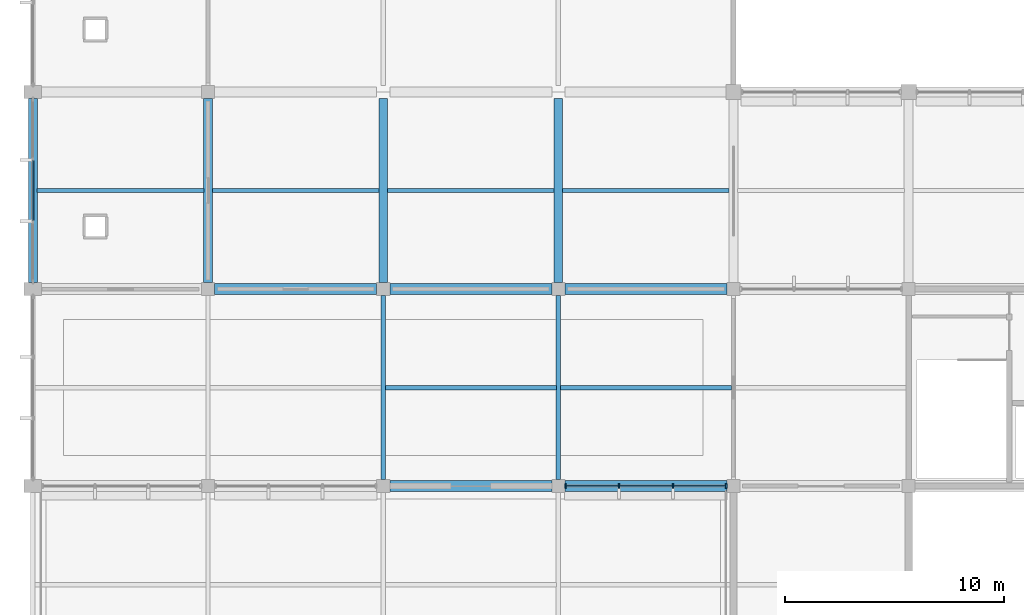
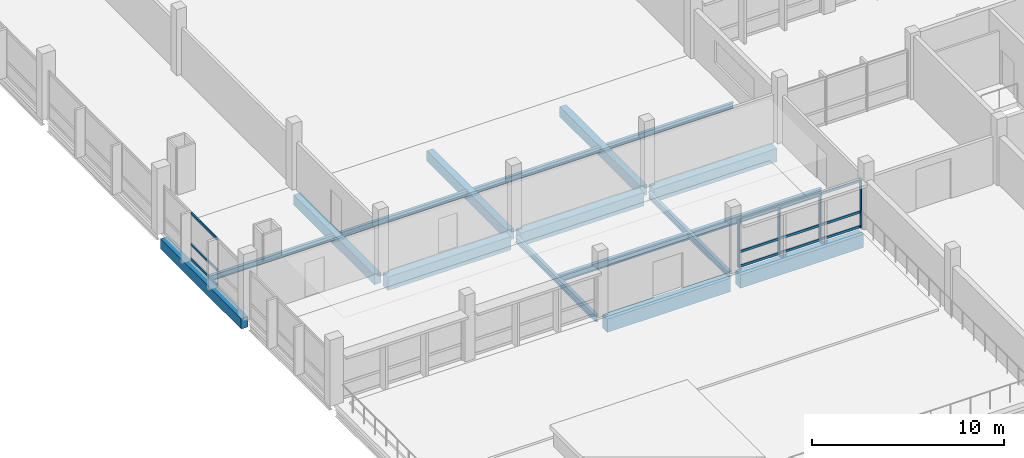
# One storey, part 4 of 70: 17 beams, 16 members, 2 elements without a shape of their own.
"""IFC4 building model written with IfcOpenShell, lengths in metres."""

from ifc_helpers import new_model, si_unit, direction, frame, origin, origin_2d, place, context, subcontext, project, spatial, rectangle, i_section, extrude, material, material_profile, profile_set, type_object, element, aggregate, save


model = new_model("IFC4")

# Units and contexts
model_context = context("Model", 3, precision=1e-05, world=origin(), true_north=direction((0.0, 1.0)))
body_context = subcontext(model_context, "Body", "Model", "MODEL_VIEW")
ifc_project = project(units=[si_unit("LENGTHUNIT", "METRE"), si_unit("AREAUNIT", "SQUARE_METRE"), si_unit("VOLUMEUNIT", "CUBIC_METRE"), si_unit("PLANEANGLEUNIT", "RADIAN"), si_unit("MASSUNIT", "GRAM", prefix="KILO"), si_unit("THERMODYNAMICTEMPERATUREUNIT", "KELVIN"), si_unit("POWERUNIT", "WATT")], contexts=[model_context])

# Site, building, storey
site_placement = place(None, origin())
site = spatial("IfcSite", under=ifc_project, at=site_placement, CompositionType="ELEMENT")
building_placement = place(site_placement, origin())
building = spatial("IfcBuilding", under=site, at=building_placement, Name="Kronsvod Quay Wholesale Market", CompositionType="ELEMENT")
storey_placement = place(building_placement, frame((0.0, 0.0, 9.0)))
storey = spatial("IfcBuildingStorey", under=building, at=storey_placement, Name="L02", CompositionType="ELEMENT", Elevation=9.0)

# Beams
ifc_material_1 = material(Name="Precast concrete C40/50", Category="concrete")
ifc_material_profile_1 = material_profile(ifc_material_1, rectangle(XDim=0.39990234375, YDim=0.64990234375, at=origin_2d()), Name="PCB400x650")
ifc_profile_set_1 = profile_set([ifc_material_profile_1], Name="Precast concrete C40/50")
beam_type_1 = type_object("IfcBeamType", Name="Beam_PCB400x650", PredefinedType="BEAM", material=ifc_profile_set_1)
for number, where, z_axis, x_axis, name in (
    (1, (0.0, 45.300048828125, -0.635009765625), (0.0, 1.0, 0.0), (-1.0, 0.0, 0.0), "BMY-L02-0-450"),
    (2, (8.0, 45.300048828125, -0.635009765625), (0.0, 1.0, 0.0), (-1.0, 0.0, 0.0), "BMY-L02-80-450"),
    (3, (16.0, 45.300048828125, -0.635009765625), (0.0, 1.0, 0.0), (-1.0, 0.0, 0.0), "BMY-L02-160-450"),
    (4, (24.0, 45.300048828125, -0.635009765625), (0.0, 1.0, 0.0), (-1.0, 0.0, 0.0), "BMY-L02-240-450"),
):
    element("IfcBeam", number, at=place(storey_placement, frame(where, z_axis=z_axis, x_axis=x_axis)), inside=storey, type_object=beam_type_1, Name=name, PredefinedType="BEAM", context=body_context, shape_type="SweptSolid", body=[
        extrude(rectangle(XDim=0.39990234375, YDim=0.64990234375, at=origin_2d()), origin(), (0.0, 0.0, 1.0), 8.39990234375),
    ])
ifc_material_2 = material(Name="Steel S355", Category="steel")
ifc_material_profile_2 = material_profile(ifc_material_2, i_section(OverallWidth=0.199951171875, OverallDepth=0.39990234375, WebThickness=0.008056640625, FlangeThickness=0.012939453125, FilletRadius=0.01611328125, at=origin_2d()), Name="40B2")
ifc_profile_set_2 = profile_set([ifc_material_profile_2], Name="Steel S355")
beam_type_2 = type_object("IfcBeamType", Name="Beam_Steel40B2", PredefinedType="BEAM", material=ifc_profile_set_2)
for number, where, z_axis, x_axis, name in (
    (5, (16.0, 36.300048828125, -0.510009765625), (0.0, 1.0, 0.0), (-1.0, 0.0, 0.0), "BMY-L02-160-360"),
    (6, (24.0, 36.300048828125, -0.510009765625), (0.0, 1.0, 0.0), (-1.0, 0.0, 0.0), "BMY-L02-240-360"),
):
    element("IfcBeam", number, at=place(storey_placement, frame(where, z_axis=z_axis, x_axis=x_axis)), inside=storey, type_object=beam_type_2, Name=name, PredefinedType="BEAM", context=body_context, shape_type="SweptSolid", body=[
        extrude(i_section(OverallWidth=0.199951171875, OverallDepth=0.39990234375, WebThickness=0.008056640625, FlangeThickness=0.012939453125, FilletRadius=0.01611328125, at=origin_2d()), origin(), (0.0, 0.0, 1.0), 8.39990234375),
    ])
ifc_material_3 = material(Name="Steel S355", Category="steel")
ifc_material_profile_3 = material_profile(ifc_material_3, i_section(OverallWidth=0.199951171875, OverallDepth=0.449951171875, WebThickness=0.009033203125, FlangeThickness=0.013916015625, FilletRadius=0.01806640625, at=origin_2d()), Name="45B2")
ifc_profile_set_3 = profile_set([ifc_material_profile_3], Name="Steel S355")
beam_type_3 = type_object("IfcBeamType", Name="Beam_Steel45B2", PredefinedType="BEAM", material=ifc_profile_set_3)
for number, where, z_axis, x_axis, name in (
    (7, (16.094970703125, 40.5, -0.52490234375), (1.0, 0.0, 0.0), (0.0, 1.0, 0.0), "JSTX-L02-160-360"),
    (8, (24.094970703125, 40.5, -0.52490234375), (1.0, 0.0, 0.0), (0.0, 1.0, 0.0), "JSTX-L02-240-360"),
):
    element("IfcBeam", number, at=place(storey_placement, frame(where, z_axis=z_axis, x_axis=x_axis)), inside=storey, type_object=beam_type_3, Name=name, PredefinedType="BEAM", context=body_context, shape_type="SweptSolid", body=[
        extrude(i_section(OverallWidth=0.199951171875, OverallDepth=0.449951171875, WebThickness=0.009033203125, FlangeThickness=0.013916015625, FilletRadius=0.01806640625, at=origin_2d()), origin(), (0.0, 0.0, 1.0), 7.81005859375),
    ])
ifc_material_4 = material(Name="Precast concrete C40/50", Category="concrete")
ifc_material_profile_4 = material_profile(ifc_material_4, rectangle(XDim=0.5, YDim=0.85009765625, at=origin_2d()), Name="PCB500x850")
ifc_profile_set_4 = profile_set([ifc_material_profile_4], Name="Precast concrete C40/50")
beam_type_4 = type_object("IfcBeamType", Name="Girder_PCB500x850", PredefinedType="T_BEAM", material=ifc_profile_set_4)
for number, where, z_axis, x_axis, name in (
    (9, (16.300048828125, 36.0, -0.735107421875), (1.0, 0.0, 0.0), (0.0, 1.0, 0.0), "BMX-L02-160-360"),
    (10, (24.300048828125, 36.0, -0.735107421875), (1.0, 0.0, 0.0), (0.0, 1.0, 0.0), "BMX-L02-240-360"),
    (11, (8.300048828125, 45.0, -0.735107421875), (1.0, 0.0, 0.0), (0.0, 1.0, 0.0), "BMX-L02-80-450"),
    (12, (16.300048828125, 45.0, -0.735107421875), (1.0, 0.0, 0.0), (0.0, 1.0, 0.0), "BMX-L02-160-450"),
    (13, (24.300048828125, 45.0, -0.735107421875), (1.0, 0.0, 0.0), (0.0, 1.0, 0.0), "BMX-L02-240-450"),
):
    element("IfcBeam", number, at=place(storey_placement, frame(where, z_axis=z_axis, x_axis=x_axis)), inside=storey, type_object=beam_type_4, Name=name, PredefinedType="T_BEAM", context=body_context, shape_type="SweptSolid", body=[
        extrude(rectangle(XDim=0.5, YDim=0.85009765625, at=origin_2d()), origin(), (0.0, 0.0, 1.0), 7.39990234375),
    ])
ifc_material_5 = material(Name="Steel S355", Category="steel")
ifc_material_profile_5 = material_profile(ifc_material_5, i_section(OverallWidth=0.174072265625, OverallDepth=0.345947265625, WebThickness=0.006103515625, FlangeThickness=0.009033203125, FilletRadius=0.013916015625, at=origin_2d()), Name="35B1")
ifc_profile_set_5 = profile_set([ifc_material_profile_5], Name="Steel S355")
beam_type_5 = type_object("IfcBeamType", Name="Joist_Steel35B1", PredefinedType="JOIST", material=ifc_profile_set_5)
for number, where, z_axis, x_axis, name in (
    (14, (0.195068359375, 49.5, -0.443115234375), (1.0, 0.0, 0.0), (0.0, 1.0, 0.0), "JSTX-L02-0-450"),
    (15, (8.195068359375, 49.5, -0.443115234375), (1.0, 0.0, 0.0), (0.0, 1.0, 0.0), "JSTX-L02-80-450"),
    (16, (16.195068359375, 49.5, -0.443115234375), (1.0, 0.0, 0.0), (0.0, 1.0, 0.0), "JSTX-L02-160-450"),
    (17, (24.195068359375, 49.5, -0.443115234375), (1.0, 0.0, 0.0), (0.0, 1.0, 0.0), "JSTX-L02-240-450"),
):
    element("IfcBeam", number, at=place(storey_placement, frame(where, z_axis=z_axis, x_axis=x_axis)), inside=storey, type_object=beam_type_5, Name=name, PredefinedType="JOIST", context=body_context, shape_type="SweptSolid", body=[
        extrude(i_section(OverallWidth=0.174072265625, OverallDepth=0.345947265625, WebThickness=0.006103515625, FlangeThickness=0.009033203125, FilletRadius=0.013916015625, at=origin_2d()), origin(), (0.0, 0.0, 1.0), 7.60986328125),
    ])

# Curtain wall, members
ifc_material_6 = material(Name="Thermally broken aluminium and triple low-E glazing", Category="aluminium")
curtain_wall_type_1 = type_object("IfcCurtainWallType", Name="CW_Harbour80x33", PredefinedType="NOTDEFINED", material=ifc_material_6)
curtain_wall_1_placement = place(storey_placement, origin())
curtain_wall_1 = element("IfcCurtainWall", 18, at=curtain_wall_1_placement, inside=storey, type_object=curtain_wall_type_1, Name="CWGX-L02-240-360", PredefinedType="NOTDEFINED")
ifc_material_7 = material(Name="Anodised aluminium", Category="aluminium")
ifc_material_profile_6 = material_profile(ifc_material_7, rectangle(XDim=0.074951171875, YDim=0.199951171875, at=origin_2d()), Name="ALUM75x200")
ifc_profile_set_6 = profile_set([ifc_material_profile_6], Name="Anodised aluminium")
member_type_1 = type_object("IfcMemberType", Name="Mullion_ALU75x200", PredefinedType="MULLION", material=ifc_profile_set_6)
member_1_placement = place(storey_placement, frame((24.33251953125, 36.0, 0.0), z_axis=(0.0, 0.0, 1.0), x_axis=(1.0, 0.0, 0.0)))
member_1 = element("IfcMember", 19, at=member_1_placement, type_object=member_type_1, Name="CWGX-L02-240-360-M1", PredefinedType="MULLION", context=body_context, shape_type="SweptSolid", body=[
    extrude(rectangle(XDim=0.074951171875, YDim=0.199951171875, at=origin_2d()), origin(), (0.0, 0.0, 1.0), 3.050048828125),
])
member_2_placement = place(storey_placement, frame((26.764892578125, 36.0, 0.0), z_axis=(0.0, 0.0, 1.0), x_axis=(1.0, 0.0, 0.0)))
member_2 = element("IfcMember", 20, at=member_2_placement, type_object=member_type_1, Name="CWGX-L02-240-360-M2", PredefinedType="MULLION", context=body_context, shape_type="SweptSolid", body=[
    extrude(rectangle(XDim=0.074951171875, YDim=0.199951171875, at=origin_2d()), origin(), (0.0, 0.0, 1.0), 3.050048828125),
])
member_3_placement = place(storey_placement, frame((29.235107421875, 36.0, 0.0), z_axis=(0.0, 0.0, 1.0), x_axis=(1.0, 0.0, 0.0)))
member_3 = element("IfcMember", 21, at=member_3_placement, type_object=member_type_1, Name="CWGX-L02-240-360-M3", PredefinedType="MULLION", context=body_context, shape_type="SweptSolid", body=[
    extrude(rectangle(XDim=0.074951171875, YDim=0.199951171875, at=origin_2d()), origin(), (0.0, 0.0, 1.0), 3.050048828125),
])
member_4_placement = place(storey_placement, frame((31.66748046875, 36.0, 0.0), z_axis=(0.0, 0.0, 1.0), x_axis=(1.0, 0.0, 0.0)))
member_4 = element("IfcMember", 22, at=member_4_placement, type_object=member_type_1, Name="CWGX-L02-240-360-M4", PredefinedType="MULLION", context=body_context, shape_type="SweptSolid", body=[
    extrude(rectangle(XDim=0.074951171875, YDim=0.199951171875, at=origin_2d()), origin(), (0.0, 0.0, 1.0), 3.050048828125),
])
ifc_material_8 = material(Name="Anodised aluminium", Category="aluminium")
ifc_material_profile_7 = material_profile(ifc_material_8, rectangle(XDim=0.074951171875, YDim=0.14990234375, at=origin_2d()), Name="ALUT75x150")
ifc_profile_set_7 = profile_set([ifc_material_profile_7], Name="Anodised aluminium")
member_type_2 = type_object("IfcMemberType", Name="Transom_ALU75x150", PredefinedType="USERDEFINED", material=ifc_profile_set_7)
member_5_placement = place(storey_placement, frame((24.3701171875, 36.0, 0.074951171875), z_axis=(1.0, 0.0, 0.0), x_axis=(0.0, 1.0, 0.0)))
member_5 = element("IfcMember", 23, at=member_5_placement, type_object=member_type_2, Name="CWGX-L02-240-360-T1B1", ObjectType="TRANSOM", PredefinedType="USERDEFINED", context=body_context, shape_type="SweptSolid", body=[
    extrude(rectangle(XDim=0.074951171875, YDim=0.14990234375, at=origin_2d()), origin(), (0.0, 0.0, 1.0), 2.357421875),
])
member_6_placement = place(storey_placement, frame((26.802490234375, 36.0, 0.074951171875), z_axis=(1.0, 0.0, 0.0), x_axis=(0.0, 1.0, 0.0)))
member_6 = element("IfcMember", 24, at=member_6_placement, type_object=member_type_2, Name="CWGX-L02-240-360-T1B2", ObjectType="TRANSOM", PredefinedType="USERDEFINED", context=body_context, shape_type="SweptSolid", body=[
    extrude(rectangle(XDim=0.074951171875, YDim=0.14990234375, at=origin_2d()), origin(), (0.0, 0.0, 1.0), 2.39501953125),
])
member_7_placement = place(storey_placement, frame((29.2724609375, 36.0, 0.074951171875), z_axis=(1.0, 0.0, 0.0), x_axis=(0.0, 1.0, 0.0)))
member_7 = element("IfcMember", 25, at=member_7_placement, type_object=member_type_2, Name="CWGX-L02-240-360-T1B3", ObjectType="TRANSOM", PredefinedType="USERDEFINED", context=body_context, shape_type="SweptSolid", body=[
    extrude(rectangle(XDim=0.074951171875, YDim=0.14990234375, at=origin_2d()), origin(), (0.0, 0.0, 1.0), 2.357421875),
])
member_8_placement = place(storey_placement, frame((24.3701171875, 36.0, 1.0), z_axis=(1.0, 0.0, 0.0), x_axis=(0.0, 1.0, 0.0)))
member_8 = element("IfcMember", 26, at=member_8_placement, type_object=member_type_2, Name="CWGX-L02-240-360-T2B1", ObjectType="TRANSOM", PredefinedType="USERDEFINED", context=body_context, shape_type="SweptSolid", body=[
    extrude(rectangle(XDim=0.074951171875, YDim=0.14990234375, at=origin_2d()), origin(), (0.0, 0.0, 1.0), 2.357421875),
])
member_9_placement = place(storey_placement, frame((26.802490234375, 36.0, 1.0), z_axis=(1.0, 0.0, 0.0), x_axis=(0.0, 1.0, 0.0)))
member_9 = element("IfcMember", 27, at=member_9_placement, type_object=member_type_2, Name="CWGX-L02-240-360-T2B2", ObjectType="TRANSOM", PredefinedType="USERDEFINED", context=body_context, shape_type="SweptSolid", body=[
    extrude(rectangle(XDim=0.074951171875, YDim=0.14990234375, at=origin_2d()), origin(), (0.0, 0.0, 1.0), 2.39501953125),
])
member_10_placement = place(storey_placement, frame((29.2724609375, 36.0, 1.0), z_axis=(1.0, 0.0, 0.0), x_axis=(0.0, 1.0, 0.0)))
member_10 = element("IfcMember", 28, at=member_10_placement, type_object=member_type_2, Name="CWGX-L02-240-360-T2B3", ObjectType="TRANSOM", PredefinedType="USERDEFINED", context=body_context, shape_type="SweptSolid", body=[
    extrude(rectangle(XDim=0.074951171875, YDim=0.14990234375, at=origin_2d()), origin(), (0.0, 0.0, 1.0), 2.357421875),
])
member_11_placement = place(storey_placement, frame((24.3701171875, 36.0, 2.97509765625), z_axis=(1.0, 0.0, 0.0), x_axis=(0.0, 1.0, 0.0)))
member_11 = element("IfcMember", 29, at=member_11_placement, type_object=member_type_2, Name="CWGX-L02-240-360-T3B1", ObjectType="TRANSOM", PredefinedType="USERDEFINED", context=body_context, shape_type="SweptSolid", body=[
    extrude(rectangle(XDim=0.074951171875, YDim=0.14990234375, at=origin_2d()), origin(), (0.0, 0.0, 1.0), 2.357421875),
])
member_12_placement = place(storey_placement, frame((26.802490234375, 36.0, 2.97509765625), z_axis=(1.0, 0.0, 0.0), x_axis=(0.0, 1.0, 0.0)))
member_12 = element("IfcMember", 30, at=member_12_placement, type_object=member_type_2, Name="CWGX-L02-240-360-T3B2", ObjectType="TRANSOM", PredefinedType="USERDEFINED", context=body_context, shape_type="SweptSolid", body=[
    extrude(rectangle(XDim=0.074951171875, YDim=0.14990234375, at=origin_2d()), origin(), (0.0, 0.0, 1.0), 2.39501953125),
])
member_13_placement = place(storey_placement, frame((29.2724609375, 36.0, 2.97509765625), z_axis=(1.0, 0.0, 0.0), x_axis=(0.0, 1.0, 0.0)))
member_13 = element("IfcMember", 31, at=member_13_placement, type_object=member_type_2, Name="CWGX-L02-240-360-T3B3", ObjectType="TRANSOM", PredefinedType="USERDEFINED", context=body_context, shape_type="SweptSolid", body=[
    extrude(rectangle(XDim=0.074951171875, YDim=0.14990234375, at=origin_2d()), origin(), (0.0, 0.0, 1.0), 2.357421875),
])
aggregate(curtain_wall_1, [member_1, member_2, member_3, member_4, member_5, member_6, member_7, member_8, member_9, member_10, member_11, member_12, member_13])

ifc_material_9 = material(Name="Thermally broken aluminium and triple low-E glazing", Category="aluminium")
curtain_wall_type_2 = type_object("IfcCurtainWallType", Name="CW_Wing90x33", PredefinedType="NOTDEFINED", material=ifc_material_9)
curtain_wall_2_placement = place(storey_placement, origin())
curtain_wall_2 = element("IfcCurtainWall", 32, at=curtain_wall_2_placement, inside=storey, type_object=curtain_wall_type_2, Name="CWGY-L02-0-450", PredefinedType="NOTDEFINED")
member_14_placement = place(storey_placement, frame((0.0, 50.8642578125, 0.074951171875), z_axis=(0.0, -1.0, 0.0), x_axis=(1.0, 0.0, 0.0)))
member_14 = element("IfcMember", 33, at=member_14_placement, type_object=member_type_2, Name="CWGY-L02-0-450-T1B2", ObjectType="TRANSOM", PredefinedType="USERDEFINED", context=body_context, shape_type="SweptSolid", body=[
    extrude(rectangle(XDim=0.074951171875, YDim=0.14990234375, at=origin_2d()), origin(), (0.0, 0.0, 1.0), 2.728515625),
])
member_15_placement = place(storey_placement, frame((0.0, 50.8642578125, 1.0), z_axis=(0.0, -1.0, 0.0), x_axis=(1.0, 0.0, 0.0)))
member_15 = element("IfcMember", 34, at=member_15_placement, type_object=member_type_2, Name="CWGY-L02-0-450-T2B2", ObjectType="TRANSOM", PredefinedType="USERDEFINED", context=body_context, shape_type="SweptSolid", body=[
    extrude(rectangle(XDim=0.074951171875, YDim=0.14990234375, at=origin_2d()), origin(), (0.0, 0.0, 1.0), 2.728515625),
])
member_16_placement = place(storey_placement, frame((0.0, 50.8642578125, 2.97509765625), z_axis=(0.0, -1.0, 0.0), x_axis=(1.0, 0.0, 0.0)))
member_16 = element("IfcMember", 35, at=member_16_placement, type_object=member_type_2, Name="CWGY-L02-0-450-T3B2", ObjectType="TRANSOM", PredefinedType="USERDEFINED", context=body_context, shape_type="SweptSolid", body=[
    extrude(rectangle(XDim=0.074951171875, YDim=0.14990234375, at=origin_2d()), origin(), (0.0, 0.0, 1.0), 2.728515625),
])
aggregate(curtain_wall_2, [member_14, member_15, member_16])

save(model, "model.ifc")
